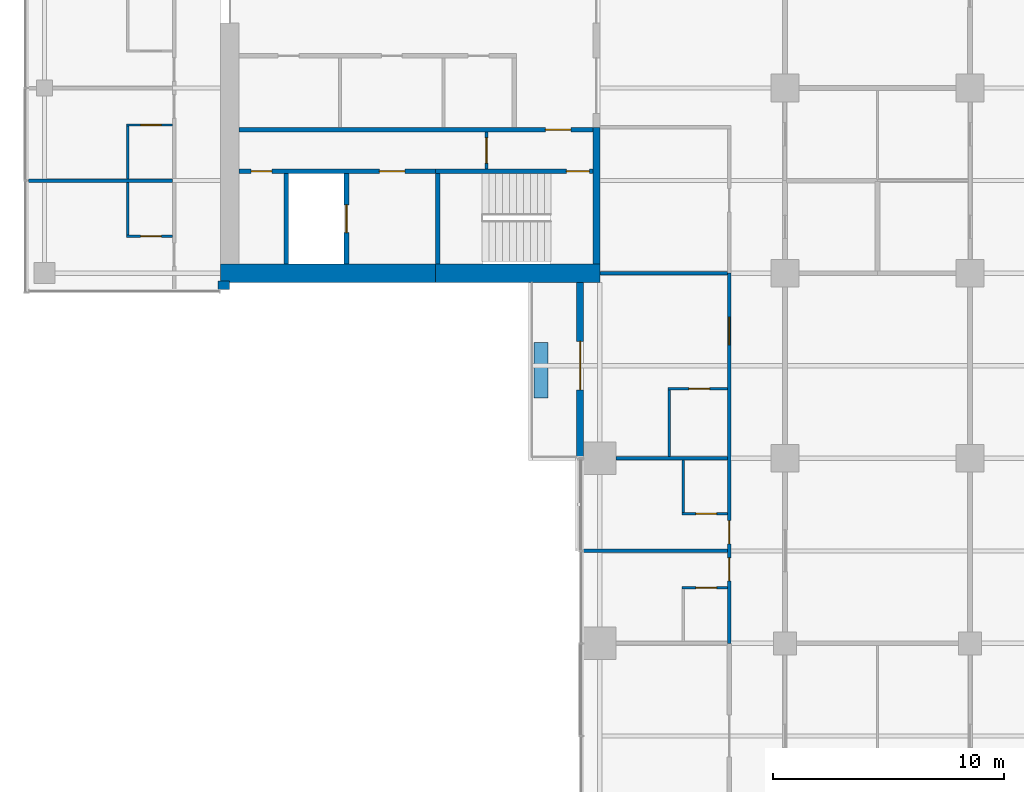
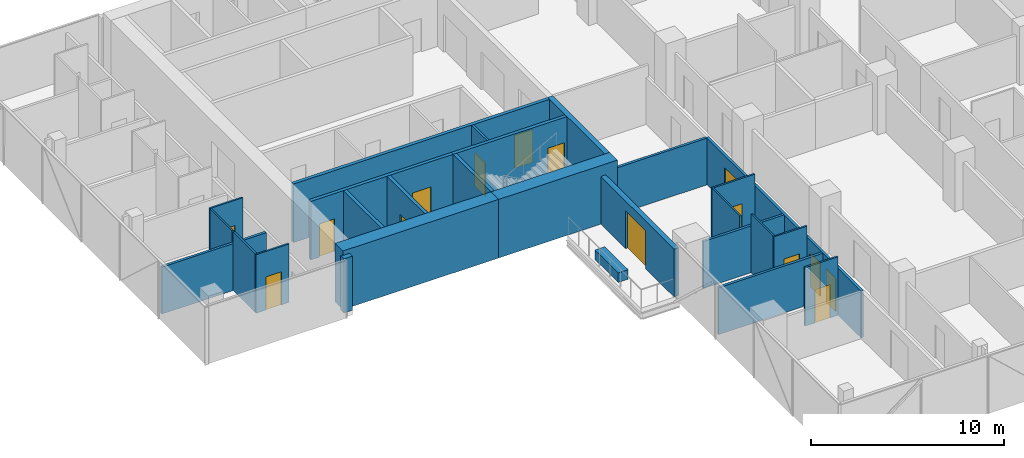
# One storey, part 15 of 27: 27 walls, 15 doors, 15 openings.
"""IFC4 building model written with IfcOpenShell, lengths in metres."""

from ifc_helpers import new_model, si_unit, direction, frame, frame_2d, origin, place, context, subcontext, project, spatial, rectangle, extrude, material, layer, layer_set, constituent, constituent_set, type_object, element, fill, save


model = new_model("IFC4")

# Units and contexts
model_context = context("Model", 3, precision=1e-05, world=origin(), true_north=direction((0.0, 1.0)))
body_context = subcontext(model_context, "Body", "Model", "MODEL_VIEW")
ifc_project = project(units=[si_unit("LENGTHUNIT", "METRE"), si_unit("AREAUNIT", "SQUARE_METRE"), si_unit("VOLUMEUNIT", "CUBIC_METRE"), si_unit("PLANEANGLEUNIT", "RADIAN"), si_unit("MASSUNIT", "GRAM", prefix="KILO")], contexts=[model_context])

# Site, building, storey
site_placement = place(None, origin())
site = spatial("IfcSite", under=ifc_project, at=site_placement, CompositionType="ELEMENT")
building_placement = place(site_placement, origin())
building = spatial("IfcBuilding", under=site, at=building_placement, Name="Crosswind Convention Tower", CompositionType="ELEMENT")
storey_placement = place(building_placement, frame((0.0, 0.0, 72.0)))
storey = spatial("IfcBuildingStorey", under=building, at=storey_placement, Name="L12", CompositionType="ELEMENT", Elevation=72.0)

# Wall
ifc_material_1 = material(Name="Concrete C50/60", Category="concrete")
ifc_layer_1 = layer(ifc_material_1, 0.300048828125)
ifc_layer_set_1 = layer_set([ifc_layer_1], Name="Concrete C50/60")
wall_type_1 = type_object("IfcWallType", Name="Concrete inner core wall 300", PredefinedType="SHEAR", material=ifc_layer_set_1)
wall_1_placement = place(storey_placement, frame((112.85009765625, 94.300048828125, 0.0), z_axis=(0.0, 0.0, 1.0), x_axis=(0.0, -1.0, 0.0)))
element("IfcWall", 1, at=wall_1_placement, inside=storey, type_object=wall_type_1, Name="Wall EP W L12", PredefinedType="SHEAR", context=body_context, shape_type="SweptSolid", body=[
    extrude(rectangle(XDim=5.900146484375, YDim=0.300048828125, at=frame_2d((2.9501953125, 0.0))), origin(), (0.0, 0.0, 1.0), 3.699951171875),
])

# Wall, opening, door
ifc_layer_2 = layer(ifc_material_1, 0.199951171875)
ifc_layer_set_2 = layer_set([ifc_layer_2], Name="Concrete C50/60")
wall_type_2 = type_object("IfcWallType", Name="Concrete shaft and stair wall 200", PredefinedType="SHEAR", material=ifc_layer_set_2)
wall_2_placement = place(storey_placement, frame((112.699951171875, 94.199951171875, 0.0), z_axis=(0.0, 0.0, 1.0), x_axis=(-1.0, 0.0, 0.0)))
wall_2 = element("IfcWall", 2, at=wall_2_placement, inside=storey, type_object=wall_type_2, Name="Wall HP W L12", PredefinedType="SHEAR", context=body_context, shape_type="SweptSolid", body=[
    extrude(rectangle(XDim=15.300048828125, YDim=0.199951171875, at=frame_2d((7.64990234375, 0.0))), origin(), (0.0, 0.0, 1.0), 3.699951171875),
])
opening_1_placement = place(wall_2_placement, frame((0.949951171875, 0.0, 0.0)))
opening_1 = element("IfcOpeningElement", 3, at=opening_1_placement, cuts=wall_2, Name="Opening D104", PredefinedType="OPENING", context=body_context, shape_type="SweptSolid", body=[
    extrude(rectangle(XDim=1.10009765625, YDim=2.10009765625, at=frame_2d((0.550048828125, 1.050048828125))), frame((0.0, 0.10986328125, 0.0), z_axis=(0.0, -1.0, 0.0), x_axis=(1.0, 0.0, 0.0)), (0.0, 0.0, 1.0), 0.219970703125),
])
ifc_material_2 = material(Name="Steel fire door", Category="steel")
door_type_1 = type_object("IfcDoorType", Name="Fire-rated single door 1100x2100", OperationType="NOTDEFINED", PredefinedType="DOOR", material=ifc_material_2)
door_1_placement = place(opening_1_placement, origin())
door_1 = element("IfcDoor", 4, at=door_1_placement, inside=storey, type_object=door_type_1, Name="Corridor door L12", ObjectType="D104", OperationType="SINGLE_SWING_LEFT", OverallHeight=2.10009765625, OverallWidth=1.10009765625, PredefinedType="DOOR", context=body_context, shape_type="SweptSolid", body=[
    extrude(rectangle(XDim=1.10009765625, YDim=2.10009765625, at=frame_2d((0.550048828125, 1.050048828125))), frame((0.0, 0.02490234375, 0.0), z_axis=(0.0, -1.0, 0.0), x_axis=(1.0, 0.0, 0.0)), (0.0, 0.0, 1.0), 0.050048828125),
])
fill(opening_1, door_1)

# Wall
wall_3_placement = place(storey_placement, frame((106.0, 92.300048828125, 0.0), z_axis=(0.0, 0.0, 1.0), x_axis=(0.0, -1.0, 0.0)))
element("IfcWall", 5, at=wall_3_placement, inside=storey, type_object=wall_type_2, Name="Wall PSE W L12", PredefinedType="SHEAR", context=body_context, shape_type="SweptSolid", body=[
    extrude(rectangle(XDim=3.900146484375, YDim=0.199951171875, at=frame_2d((1.9501953125, 0.0))), origin(), (0.0, 0.0, 1.0), 3.699951171875),
])

# Wall, opening, door
wall_4_placement = place(storey_placement, frame((102.050048828125, 92.300048828125, 0.0), z_axis=(0.0, 0.0, 1.0), x_axis=(0.0, -1.0, 0.0)))
wall_4 = element("IfcWall", 6, at=wall_4_placement, inside=storey, type_object=wall_type_2, Name="Wall PFLW W L12", PredefinedType="SHEAR", context=body_context, shape_type="SweptSolid", body=[
    extrude(rectangle(XDim=3.900146484375, YDim=0.199951171875, at=frame_2d((1.9501953125, 0.0))), origin(), (0.0, 0.0, 1.0), 3.699951171875),
])
opening_2_placement = place(wall_4_placement, frame((1.35009765625, 0.0, 0.0)))
opening_2 = element("IfcOpeningElement", 7, at=opening_2_placement, cuts=wall_4, Name="Opening LD1", PredefinedType="OPENING", context=body_context, shape_type="SweptSolid", body=[
    extrude(rectangle(XDim=1.199951171875, YDim=2.10009765625, at=frame_2d((0.60009765625, 1.050048828125))), frame((0.0, 0.10986328125, 0.0), z_axis=(0.0, -1.0, 0.0), x_axis=(1.0, 0.0, 0.0)), (0.0, 0.0, 1.0), 0.219970703125),
])
ifc_material_3 = material(Name="Stainless steel", Category="steel")
door_type_2 = type_object("IfcDoorType", Name="Lift landing door 1200x2100", OperationType="DOUBLE_DOOR_SLIDING", PredefinedType="DOOR", material=ifc_material_3)
door_2_placement = place(opening_2_placement, origin())
door_2 = element("IfcDoor", 8, at=door_2_placement, inside=storey, type_object=door_type_2, Name="Landing door FF2 L12", ObjectType="LD1", OperationType="DOUBLE_DOOR_SLIDING", OverallHeight=2.10009765625, OverallWidth=1.199951171875, PredefinedType="DOOR", context=body_context, shape_type="SweptSolid", body=[
    extrude(rectangle(XDim=1.199951171875, YDim=2.10009765625, at=frame_2d((0.60009765625, 1.050048828125))), frame((0.0, 0.02490234375, 0.0), z_axis=(0.0, -1.0, 0.0), x_axis=(1.0, 0.0, 0.0)), (0.0, 0.0, 1.0), 0.050048828125),
])
fill(opening_2, door_2)

# Wall
wall_5_placement = place(storey_placement, frame((99.449951171875, 92.300048828125, 0.0), z_axis=(0.0, 0.0, 1.0), x_axis=(0.0, -1.0, 0.0)))
element("IfcWall", 9, at=wall_5_placement, inside=storey, type_object=wall_type_2, Name="Wall PFSE W L12", PredefinedType="SHEAR", context=body_context, shape_type="SweptSolid", body=[
    extrude(rectangle(XDim=3.900146484375, YDim=0.199951171875, at=frame_2d((1.9501953125, 0.0))), origin(), (0.0, 0.0, 1.0), 3.699951171875),
])

# Wall, opening, door
wall_6_placement = place(storey_placement, frame((112.699951171875, 92.39990234375, 0.0), z_axis=(0.0, 0.0, 1.0), x_axis=(-1.0, 0.0, 0.0)))
wall_6 = element("IfcWall", 10, at=wall_6_placement, inside=storey, type_object=wall_type_2, Name="Wall PCW W L12", PredefinedType="SHEAR", context=body_context, shape_type="SweptSolid", body=[
    extrude(rectangle(XDim=6.800048828125, YDim=0.199951171875, at=frame_2d((3.39990234375, 0.0))), origin(), (0.0, 0.0, 1.0), 3.699951171875),
])
opening_3_placement = place(wall_6_placement, frame((0.14990234375, 0.0, 0.0)))
opening_3 = element("IfcOpeningElement", 11, at=opening_3_placement, cuts=wall_6, Name="Opening D103", PredefinedType="OPENING", context=body_context, shape_type="SweptSolid", body=[
    extrude(rectangle(XDim=1.0, YDim=2.10009765625, at=frame_2d((0.5, 1.050048828125))), frame((0.0, 0.10986328125, 0.0), z_axis=(0.0, -1.0, 0.0), x_axis=(1.0, 0.0, 0.0)), (0.0, 0.0, 1.0), 0.219970703125),
])
door_type_3 = type_object("IfcDoorType", Name="Fire-rated single door 1000x2100", OperationType="NOTDEFINED", PredefinedType="DOOR", material=ifc_material_2)
door_3_placement = place(opening_3_placement, origin())
door_3 = element("IfcDoor", 12, at=door_3_placement, inside=storey, type_object=door_type_3, Name="Stair ST3 door L12", ObjectType="D103", OperationType="SINGLE_SWING_LEFT", OverallHeight=2.10009765625, OverallWidth=1.0, PredefinedType="DOOR", context=body_context, shape_type="SweptSolid", body=[
    extrude(rectangle(XDim=1.0, YDim=2.10009765625, at=frame_2d((0.5, 1.050048828125))), frame((0.0, 0.02490234375, 0.0), z_axis=(0.0, -1.0, 0.0), x_axis=(1.0, 0.0, 0.0)), (0.0, 0.0, 1.0), 0.050048828125),
])
fill(opening_3, door_3)

# Wall, openings, doors
wall_7_placement = place(storey_placement, frame((105.89990234375, 92.39990234375, 0.0), z_axis=(0.0, 0.0, 1.0), x_axis=(-1.0, 0.0, 0.0)))
wall_7 = element("IfcWall", 13, at=wall_7_placement, inside=storey, type_object=wall_type_2, Name="Wall PCX W L12", PredefinedType="SHEAR", context=body_context, shape_type="SweptSolid", body=[
    extrude(rectangle(XDim=8.5, YDim=0.199951171875, at=frame_2d((4.25, 0.0))), origin(), (0.0, 0.0, 1.0), 3.699951171875),
])
opening_4_placement = place(wall_7_placement, frame((1.324951171875, 0.0, 0.0)))
opening_4 = element("IfcOpeningElement", 14, at=opening_4_placement, cuts=wall_7, Name="Opening D104", PredefinedType="OPENING", context=body_context, shape_type="SweptSolid", body=[
    extrude(rectangle(XDim=1.10009765625, YDim=2.10009765625, at=frame_2d((0.550048828125, 1.050048828125))), frame((0.0, 0.10986328125, 0.0), z_axis=(0.0, -1.0, 0.0), x_axis=(1.0, 0.0, 0.0)), (0.0, 0.0, 1.0), 0.219970703125),
])
opening_5_placement = place(wall_7_placement, frame((7.074951171875, 0.0, 0.0)))
opening_5 = element("IfcOpeningElement", 15, at=opening_5_placement, cuts=wall_7, Name="Opening D106", PredefinedType="OPENING", context=body_context, shape_type="SweptSolid", body=[
    extrude(rectangle(XDim=0.89990234375, YDim=2.10009765625, at=frame_2d((0.449951171875, 1.050048828125))), frame((0.0, 0.10986328125, 0.0), z_axis=(0.0, -1.0, 0.0), x_axis=(1.0, 0.0, 0.0)), (0.0, 0.0, 1.0), 0.219970703125),
])
door_4_placement = place(opening_4_placement, origin())
door_4 = element("IfcDoor", 16, at=door_4_placement, inside=storey, type_object=door_type_1, Name="Fire-fighting lobby FF2 door L12", ObjectType="D104", OperationType="SINGLE_SWING_RIGHT", OverallHeight=2.10009765625, OverallWidth=1.10009765625, PredefinedType="DOOR", context=body_context, shape_type="SweptSolid", body=[
    extrude(rectangle(XDim=1.10009765625, YDim=2.10009765625, at=frame_2d((0.550048828125, 1.050048828125))), frame((0.0, 0.02490234375, 0.0), z_axis=(0.0, -1.0, 0.0), x_axis=(1.0, 0.0, 0.0)), (0.0, 0.0, 1.0), 0.050048828125),
])
fill(opening_4, door_4)
ifc_material_4 = material(Name="Timber door", Category="wood")
door_type_4 = type_object("IfcDoorType", Name="Single leaf door 900x2100", OperationType="NOTDEFINED", PredefinedType="DOOR", material=ifc_material_4)
door_5_placement = place(opening_5_placement, origin())
door_5 = element("IfcDoor", 17, at=door_5_placement, inside=storey, type_object=door_type_4, Name="Door to cleaners' store L12", ObjectType="D106", OperationType="SINGLE_SWING_RIGHT", OverallHeight=2.10009765625, OverallWidth=0.89990234375, PredefinedType="DOOR", context=body_context, shape_type="SweptSolid", body=[
    extrude(rectangle(XDim=0.89990234375, YDim=2.10009765625, at=frame_2d((0.449951171875, 1.050048828125))), frame((0.0, 0.02490234375, 0.0), z_axis=(0.0, -1.0, 0.0), x_axis=(1.0, 0.0, 0.0)), (0.0, 0.0, 1.0), 0.050048828125),
])
fill(opening_5, door_5)

# Wall, opening, door
ifc_material_5 = material(Name="Gypsum plasterboard partition", Category="gypsum")
ifc_layer_3 = layer(ifc_material_5, 0.125)
ifc_layer_set_3 = layer_set([ifc_layer_3], Name="Drywall partition wall 125")
wall_type_3 = type_object("IfcWallType", Name="Drywall partition wall 125", PredefinedType="PARTITIONING", material=ifc_layer_set_3)
wall_8_placement = place(storey_placement, frame((108.10009765625, 94.10009765625, 0.0), z_axis=(0.0, 0.0, 1.0), x_axis=(0.0, -1.0, 0.0)))
wall_8 = element("IfcWall", 18, at=wall_8_placement, inside=storey, type_object=wall_type_3, Name="Wall PXC1 W L12", PredefinedType="PARTITIONING", context=body_context, shape_type="SweptSolid", body=[
    extrude(rectangle(XDim=1.60009765625, YDim=0.125, at=frame_2d((0.800048828125, 0.0))), origin(), (0.0, 0.0, 1.0), 3.699951171875),
])
opening_6_placement = place(wall_8_placement, frame((0.25, 0.0, 0.0)))
opening_6 = element("IfcOpeningElement", 19, at=opening_6_placement, cuts=wall_8, Name="Opening D104", PredefinedType="OPENING", context=body_context, shape_type="SweptSolid", body=[
    extrude(rectangle(XDim=1.10009765625, YDim=2.10009765625, at=frame_2d((0.550048828125, 1.050048828125))), frame((0.0, 0.072509765625, 0.0), z_axis=(0.0, -1.0, 0.0), x_axis=(1.0, 0.0, 0.0)), (0.0, 0.0, 1.0), 0.14501953125),
])
door_6_placement = place(opening_6_placement, origin())
door_6 = element("IfcDoor", 20, at=door_6_placement, inside=storey, type_object=door_type_1, Name="Corridor smoke door L12", ObjectType="D104", OperationType="SINGLE_SWING_RIGHT", OverallHeight=2.10009765625, OverallWidth=1.10009765625, PredefinedType="DOOR", context=body_context, shape_type="SweptSolid", body=[
    extrude(rectangle(XDim=1.10009765625, YDim=2.10009765625, at=frame_2d((0.550048828125, 1.050048828125))), frame((0.0, 0.02490234375, 0.0), z_axis=(0.0, -1.0, 0.0), x_axis=(1.0, 0.0, 0.0)), (0.0, 0.0, 1.0), 0.050048828125),
])
fill(opening_6, door_6)

# Walls
ifc_material_6 = material(Name="Acoustic plasterboard partition", Category="gypsum")
ifc_layer_4 = layer(ifc_material_6, 0.14990234375)
ifc_layer_set_4 = layer_set([ifc_layer_4], Name="GUEST ROOM WALL 150")
wall_type_4 = type_object("IfcWallType", Name="GUEST ROOM WALL 150", PredefinedType="PARTITIONING", material=ifc_layer_set_4)
wall_9_placement = place(storey_placement, frame((112.300048828125, 76.0, 0.0), z_axis=(0.0, 0.0, 1.0), x_axis=(1.0, 0.0, 0.0)))
element("IfcWall", 21, at=wall_9_placement, inside=storey, type_object=wall_type_4, Name="Guest Room Wall 8", PredefinedType="PARTITIONING", context=body_context, shape_type="SweptSolid", body=[
    extrude(rectangle(XDim=6.224853515625, YDim=0.14990234375, at=frame_2d((3.1123046875, 0.0))), origin(), (0.0, 0.0, 1.0), 2.962890625),
])
wall_10_placement = place(storey_placement, frame((113.699951171875, 80.0, 0.0), z_axis=(0.0, 0.0, 1.0), x_axis=(1.0, 0.0, 0.0)))
element("IfcWall", 22, at=wall_10_placement, inside=storey, type_object=wall_type_4, Name="Guest Room Wall 11", PredefinedType="PARTITIONING", context=body_context, shape_type="SweptSolid", body=[
    extrude(rectangle(XDim=4.824951171875, YDim=0.14990234375, at=frame_2d((2.41259765625, 0.0))), origin(), (0.0, 0.0, 1.0), 2.959716796875),
])
wall_11_placement = place(storey_placement, frame((113.0, 88.0, 0.0), z_axis=(0.0, 0.0, 1.0), x_axis=(1.0, 0.0, 0.0)))
element("IfcWall", 23, at=wall_11_placement, inside=storey, type_object=wall_type_4, Name="Guest Room Wall 15", PredefinedType="PARTITIONING", context=body_context, shape_type="SweptSolid", body=[
    extrude(rectangle(XDim=5.52490234375, YDim=0.14990234375, at=frame_2d((2.762451171875, 0.0))), origin(), (0.0, 0.0, 1.0), 2.956298828125),
])
wall_12_placement = place(storey_placement, frame((88.300048828125, 92.0, 0.0), z_axis=(0.0, 0.0, 1.0), x_axis=(1.0, 0.0, 0.0)))
element("IfcWall", 24, at=wall_12_placement, inside=storey, type_object=wall_type_4, Name="Guest Room Wall 21", PredefinedType="PARTITIONING", context=body_context, shape_type="SweptSolid", body=[
    extrude(rectangle(XDim=6.224853515625, YDim=0.14990234375, at=frame_2d((3.1123046875, 0.0))), origin(), (0.0, 0.0, 1.0), 2.962890625),
])

# Wall, openings, doors
wall_13_placement = place(storey_placement, frame((118.60009765625, 72.0, 0.0), z_axis=(0.0, 0.0, 1.0), x_axis=(0.0, 1.0, 0.0)))
wall_13 = element("IfcWall", 25, at=wall_13_placement, inside=storey, type_object=wall_type_4, Name="Guest Room Wall 83", PredefinedType="PARTITIONING", context=body_context, shape_type="SweptSolid", body=[
    extrude(rectangle(XDim=16.0, YDim=0.14990234375, at=frame_2d((8.0, 0.0))), origin(), (0.0, 0.0, 1.0), 2.956298828125),
])
opening_7_placement = place(wall_13_placement, frame((12.89990234375, 0.0, 0.0)))
opening_7 = element("IfcOpeningElement", 26, at=opening_7_placement, cuts=wall_13, Name="Opening 12.028", PredefinedType="OPENING", context=body_context, shape_type="SweptSolid", body=[
    extrude(rectangle(XDim=1.199951171875, YDim=2.199951171875, at=frame_2d((0.60009765625, 1.10009765625))), frame((0.0, 0.0849609375, 0.0), z_axis=(0.0, -1.0, 0.0), x_axis=(1.0, 0.0, 0.0)), (0.0, 0.0, 1.0), 0.169921875),
])
opening_8_placement = place(wall_13_placement, frame((4.300048828125, 0.0, 0.0)))
opening_8 = element("IfcOpeningElement", 27, at=opening_8_placement, cuts=wall_13, Name="Opening 12.030", PredefinedType="OPENING", context=body_context, shape_type="SweptSolid", body=[
    extrude(rectangle(XDim=1.0, YDim=2.10009765625, at=frame_2d((0.5, 1.050048828125))), frame((0.0, 0.0849609375, 0.0), z_axis=(0.0, -1.0, 0.0), x_axis=(1.0, 0.0, 0.0)), (0.0, 0.0, 1.0), 0.169921875),
])
opening_9_placement = place(wall_13_placement, frame((2.699951171875, 0.0, 0.0)))
opening_9 = element("IfcOpeningElement", 28, at=opening_9_placement, cuts=wall_13, Name="Opening 12.032", PredefinedType="OPENING", context=body_context, shape_type="SweptSolid", body=[
    extrude(rectangle(XDim=1.0, YDim=2.10009765625, at=frame_2d((0.5, 1.050048828125))), frame((0.0, 0.0849609375, 0.0), z_axis=(0.0, -1.0, 0.0), x_axis=(1.0, 0.0, 0.0)), (0.0, 0.0, 1.0), 0.169921875),
])
ifc_material_7 = material(Name="Timber fire door", Category="wood")
door_type_5 = type_object("IfcDoorType", Name="GUEST ROOM DOOR 1000X2100", OperationType="NOTDEFINED", PredefinedType="DOOR", material=ifc_material_7)
door_7_placement = place(opening_8_placement, origin())
door_7 = element("IfcDoor", 29, at=door_7_placement, inside=storey, type_object=door_type_5, Name="Door 12.030", ObjectType="D1", OperationType="SINGLE_SWING_RIGHT", OverallHeight=2.10009765625, OverallWidth=1.0, PredefinedType="DOOR", context=body_context, shape_type="SweptSolid", body=[
    extrude(rectangle(XDim=1.0, YDim=2.10009765625, at=frame_2d((0.5, 1.050048828125))), frame((0.0, 0.02490234375, 0.0), z_axis=(0.0, -1.0, 0.0), x_axis=(1.0, 0.0, 0.0)), (0.0, 0.0, 1.0), 0.050048828125),
])
fill(opening_8, door_7)
door_8_placement = place(opening_9_placement, origin())
door_8 = element("IfcDoor", 30, at=door_8_placement, inside=storey, type_object=door_type_5, Name="Door 12.032", ObjectType="D1", OperationType="SINGLE_SWING_RIGHT", OverallHeight=2.10009765625, OverallWidth=1.0, PredefinedType="DOOR", context=body_context, shape_type="SweptSolid", body=[
    extrude(rectangle(XDim=1.0, YDim=2.10009765625, at=frame_2d((0.5, 1.050048828125))), frame((0.0, 0.02490234375, 0.0), z_axis=(0.0, -1.0, 0.0), x_axis=(1.0, 0.0, 0.0)), (0.0, 0.0, 1.0), 0.050048828125),
])
fill(opening_9, door_8)
door_type_6 = type_object("IfcDoorType", Name="SUITE DOOR 1200X2200", OperationType="DOUBLE_DOOR_SINGLE_SWING", PredefinedType="DOOR", material=ifc_material_7)
door_9_placement = place(opening_7_placement, origin())
door_9 = element("IfcDoor", 31, at=door_9_placement, inside=storey, type_object=door_type_6, Name="Door 12.028", ObjectType="D14", OperationType="DOUBLE_DOOR_SINGLE_SWING", OverallHeight=2.199951171875, OverallWidth=1.199951171875, PredefinedType="DOOR", context=body_context, shape_type="SweptSolid", body=[
    extrude(rectangle(XDim=1.199951171875, YDim=2.199951171875, at=frame_2d((0.60009765625, 1.10009765625))), frame((0.0, 0.02490234375, 0.0), z_axis=(0.0, -1.0, 0.0), x_axis=(1.0, 0.0, 0.0)), (0.0, 0.0, 1.0), 0.050048828125),
])
fill(opening_7, door_9)

# Walls
ifc_material_8 = material(Name="Concrete C30/37", Category="concrete")
ifc_layer_5 = layer(ifc_material_8, 0.60009765625)
ifc_layer_set_5 = layer_set([ifc_layer_5], Name="Concrete C30/37")
wall_type_5 = type_object("IfcWallType", Name="PLANTER BOX WALL 600", PredefinedType="SOLIDWALL", material=ifc_layer_set_5)
wall_14_placement = place(storey_placement, frame((110.449951171875, 85.0, 0.0), z_axis=(0.0, 0.0, 1.0), x_axis=(0.0, -1.0, 0.0)))
element("IfcWall", 32, at=wall_14_placement, inside=storey, type_object=wall_type_5, Name="PLANTER L12 S-W.1-1", PredefinedType="SOLIDWALL", context=body_context, shape_type="SweptSolid", body=[
    extrude(rectangle(XDim=2.39990234375, YDim=0.60009765625, at=frame_2d((1.199951171875, 0.0))), origin(), (0.0, 0.0, 1.0), 0.60009765625),
])
ifc_material_9 = material(Name="Terracotta rainscreen", Category="ceramic")
ifc_layer_6 = layer(ifc_material_9, 0.02001953125)
ifc_material_10 = material(Name="Mineral wool insulation", Category="insulation")
ifc_layer_7 = layer(ifc_material_10, 0.10009765625)
ifc_material_11 = material(Name="Concrete blockwork", Category="masonry")
ifc_layer_8 = layer(ifc_material_11, 0.236083984375)
ifc_layer_set_6 = layer_set([ifc_layer_6, ifc_layer_7, ifc_layer_8], Name="TERRACOTTA CORNER INFILL WALL 356")
wall_type_6 = type_object("IfcWallType", Name="TERRACOTTA CORNER INFILL WALL 356", PredefinedType="SOLIDWALL", material=ifc_layer_set_6)
wall_15_placement = place(storey_placement, frame((96.4951171875, 87.47802734375, 0.0), z_axis=(0.0, 0.0, 1.0), x_axis=(1.0, 0.0, 0.0)))
element("IfcWall", 33, at=wall_15_placement, inside=storey, type_object=wall_type_6, Name="Core corner infill wall L12 3", PredefinedType="SOLIDWALL", context=body_context, shape_type="SweptSolid", body=[
    extrude(rectangle(XDim=0.5048828125, YDim=0.35595703125, at=frame_2d((0.25244140625, 0.0))), origin(), (0.0, 0.0, 1.0), 3.419921875),
])

# Wall, opening, door
ifc_layer_9 = layer(ifc_material_9, 0.02001953125)
ifc_layer_10 = layer(ifc_material_10, 0.10009765625)
ifc_layer_11 = layer(ifc_material_11, 0.179931640625)
ifc_layer_set_7 = layer_set([ifc_layer_9, ifc_layer_10, ifc_layer_11], Name="TERRACOTTA INFILL WALL 300")
wall_type_7 = type_object("IfcWallType", Name="TERRACOTTA INFILL WALL 300", PredefinedType="SOLIDWALL", material=ifc_layer_set_7)
wall_16_placement = place(storey_placement, frame((112.14990234375, 87.60009765625, 0.0), z_axis=(0.0, 0.0, 1.0), x_axis=(0.0, -1.0, 0.0)))
wall_16 = element("IfcWall", 34, at=wall_16_placement, inside=storey, type_object=wall_type_7, Name="Notch front wall L12 S-W.1-1", PredefinedType="SOLIDWALL", context=body_context, shape_type="SweptSolid", body=[
    extrude(rectangle(XDim=7.567626953125, YDim=0.300048828125, at=frame_2d((3.78369140625, 0.0))), origin(), (0.0, 0.0, 1.0), 3.013671875),
])
opening_10_placement = place(wall_16_placement, frame((2.550048828125, 0.0, 0.0)))
opening_10 = element("IfcOpeningElement", 35, at=opening_10_placement, cuts=wall_16, Name="Opening D141", PredefinedType="OPENING", context=body_context, shape_type="SweptSolid", body=[
    extrude(rectangle(XDim=2.10009765625, YDim=2.39990234375, at=frame_2d((1.050048828125, 1.199951171875))), frame((0.0, 0.159912109375, 0.0), z_axis=(0.0, -1.0, 0.0), x_axis=(1.0, 0.0, 0.0)), (0.0, 0.0, 1.0), 0.320068359375),
])
ifc_material_12 = material(Name="Aluminium glazed door", Category="aluminium")
door_type_7 = type_object("IfcDoorType", Name="BALCONY SLIDING DOOR 2100X2400", OperationType="SLIDING_TO_LEFT", PredefinedType="DOOR", material=ifc_material_12)
door_10_placement = place(opening_10_placement, frame((2.10009765625, 0.0, 0.0), z_axis=(0.0, 0.0, 1.0), x_axis=(-1.0, 0.0, 0.0)))
door_10 = element("IfcDoor", 36, at=door_10_placement, inside=storey, type_object=door_type_7, Name="D141 balcony door L12 S-W.1-1", ObjectType="D141", OperationType="SLIDING_TO_LEFT", OverallHeight=2.39990234375, OverallWidth=2.10009765625, PredefinedType="DOOR", context=body_context, shape_type="SweptSolid", body=[
    extrude(rectangle(XDim=2.10009765625, YDim=2.39990234375, at=frame_2d((1.050048828125, 1.199951171875))), frame((0.0, 0.02490234375, 0.0), z_axis=(0.0, -1.0, 0.0), x_axis=(1.0, 0.0, 0.0)), (0.0, 0.0, 1.0), 0.050048828125),
])
fill(opening_10, door_10)

# Walls
ifc_material_13 = material(Name="Concrete C60/75", Category="concrete")
ifc_constituent_1 = constituent(ifc_material_13, Name="Structure")
ifc_constituent_2 = constituent(ifc_material_9, Name="Facing")
ifc_constituent_set = constituent_set(constituents=[ifc_constituent_1, ifc_constituent_2], Name="Concrete C60/75, Terracotta rainscreen")
wall_type_8 = type_object("IfcWallType", Name="Terracotta rainscreen on concrete core wall 800", PredefinedType="SHEAR", material=ifc_constituent_set)
wall_17_placement = place(storey_placement, frame((113.0, 88.0, 0.0), z_axis=(0.0, 0.0, 1.0), x_axis=(-1.0, 0.0, 0.0)))
element("IfcWall", 37, at=wall_17_placement, inside=storey, type_object=wall_type_8, Name="Wall N1 W L12", PredefinedType="SHEAR", context=body_context, shape_type="SweptSolid", body=[
    extrude(rectangle(XDim=7.10009765625, YDim=0.800048828125, at=frame_2d((3.550048828125, 0.0))), origin(), (0.0, 0.0, 1.0), 3.699951171875),
])
wall_18_placement = place(storey_placement, frame((105.89990234375, 88.0, 0.0), z_axis=(0.0, 0.0, 1.0), x_axis=(-1.0, 0.0, 0.0)))
element("IfcWall", 38, at=wall_18_placement, inside=storey, type_object=wall_type_8, Name="Wall N2 W L12", PredefinedType="SHEAR", context=body_context, shape_type="SweptSolid", body=[
    extrude(rectangle(XDim=9.2998046875, YDim=0.800048828125, at=frame_2d((4.64990234375, 0.0))), origin(), (0.0, 0.0, 1.0), 3.699951171875),
])

# Wall, opening, door
ifc_material_14 = material(Name="Water-resistant plasterboard partition", Category="gypsum")
ifc_layer_12 = layer(ifc_material_14, 0.10009765625)
ifc_layer_set_8 = layer_set([ifc_layer_12], Name="WET ROOM PARTITION 100")
wall_type_9 = type_object("IfcWallType", Name="WET ROOM PARTITION 100", PredefinedType="PLUMBINGWALL", material=ifc_layer_set_8)
wall_19_placement = place(storey_placement, frame((116.550048828125, 74.39990234375, 0.0), z_axis=(0.0, 0.0, 1.0), x_axis=(1.0, 0.0, 0.0)))
wall_19 = element("IfcWall", 39, at=wall_19_placement, inside=storey, type_object=wall_type_9, Name="Wet Room Partition 7", PredefinedType="PLUMBINGWALL", context=body_context, shape_type="SweptSolid", body=[
    extrude(rectangle(XDim=1.974853515625, YDim=0.10009765625, at=frame_2d((0.9873046875, 0.0))), origin(), (0.0, 0.0, 1.0), 3.699951171875),
])
opening_11_placement = place(wall_19_placement, frame((0.60009765625, 0.0, 0.0)))
opening_11 = element("IfcOpeningElement", 40, at=opening_11_placement, cuts=wall_19, Name="Opening 12.033", PredefinedType="OPENING", context=body_context, shape_type="SweptSolid", body=[
    extrude(rectangle(XDim=0.89990234375, YDim=2.10009765625, at=frame_2d((0.449951171875, 1.050048828125))), frame((0.0, 0.06005859375, 0.0), z_axis=(0.0, -1.0, 0.0), x_axis=(1.0, 0.0, 0.0)), (0.0, 0.0, 1.0), 0.1201171875),
])
door_type_8 = type_object("IfcDoorType", Name="EN-SUITE DOOR 900X2100", OperationType="NOTDEFINED", PredefinedType="DOOR", material=ifc_material_4)
door_11_placement = place(opening_11_placement, frame((0.89990234375, 0.0, 0.0), z_axis=(0.0, 0.0, 1.0), x_axis=(-1.0, 0.0, 0.0)))
door_11 = element("IfcDoor", 41, at=door_11_placement, inside=storey, type_object=door_type_8, Name="Door 12.033", ObjectType="D2", OperationType="SINGLE_SWING_LEFT", OverallHeight=2.10009765625, OverallWidth=0.89990234375, PredefinedType="DOOR", context=body_context, shape_type="SweptSolid", body=[
    extrude(rectangle(XDim=0.89990234375, YDim=2.10009765625, at=frame_2d((0.449951171875, 1.050048828125))), frame((0.0, 0.02490234375, 0.0), z_axis=(0.0, -1.0, 0.0), x_axis=(1.0, 0.0, 0.0)), (0.0, 0.0, 1.0), 0.050048828125),
])
fill(opening_11, door_11)

wall_20_placement = place(storey_placement, frame((116.550048828125, 77.60009765625, 0.0), z_axis=(0.0, 0.0, 1.0), x_axis=(1.0, 0.0, 0.0)))
wall_20 = element("IfcWall", 42, at=wall_20_placement, inside=storey, type_object=wall_type_9, Name="Wet Room Partition 10", PredefinedType="PLUMBINGWALL", context=body_context, shape_type="SweptSolid", body=[
    extrude(rectangle(XDim=1.974853515625, YDim=0.10009765625, at=frame_2d((0.9873046875, 0.0))), origin(), (0.0, 0.0, 1.0), 3.699951171875),
])
opening_12_placement = place(wall_20_placement, frame((0.60009765625, 0.0, 0.0)))
opening_12 = element("IfcOpeningElement", 43, at=opening_12_placement, cuts=wall_20, Name="Opening 12.031", PredefinedType="OPENING", context=body_context, shape_type="SweptSolid", body=[
    extrude(rectangle(XDim=0.89990234375, YDim=2.10009765625, at=frame_2d((0.449951171875, 1.050048828125))), frame((0.0, 0.06005859375, 0.0), z_axis=(0.0, -1.0, 0.0), x_axis=(1.0, 0.0, 0.0)), (0.0, 0.0, 1.0), 0.1201171875),
])
door_12_placement = place(opening_12_placement, origin())
door_12 = element("IfcDoor", 44, at=door_12_placement, inside=storey, type_object=door_type_8, Name="Door 12.031", ObjectType="D2", OperationType="SINGLE_SWING_RIGHT", OverallHeight=2.10009765625, OverallWidth=0.89990234375, PredefinedType="DOOR", context=body_context, shape_type="SweptSolid", body=[
    extrude(rectangle(XDim=0.89990234375, YDim=2.10009765625, at=frame_2d((0.449951171875, 1.050048828125))), frame((0.0, 0.02490234375, 0.0), z_axis=(0.0, -1.0, 0.0), x_axis=(1.0, 0.0, 0.0)), (0.0, 0.0, 1.0), 0.050048828125),
])
fill(opening_12, door_12)

wall_21_placement = place(storey_placement, frame((115.949951171875, 83.0, 0.0), z_axis=(0.0, 0.0, 1.0), x_axis=(1.0, 0.0, 0.0)))
wall_21 = element("IfcWall", 45, at=wall_21_placement, inside=storey, type_object=wall_type_9, Name="Wet Room Partition 13", PredefinedType="PLUMBINGWALL", context=body_context, shape_type="SweptSolid", body=[
    extrude(rectangle(XDim=2.574951171875, YDim=0.10009765625, at=frame_2d((1.28759765625, 0.0))), origin(), (0.0, 0.0, 1.0), 3.699951171875),
])
opening_13_placement = place(wall_21_placement, frame((0.89990234375, 0.0, 0.0)))
opening_13 = element("IfcOpeningElement", 46, at=opening_13_placement, cuts=wall_21, Name="Opening 12.029", PredefinedType="OPENING", context=body_context, shape_type="SweptSolid", body=[
    extrude(rectangle(XDim=0.89990234375, YDim=2.10009765625, at=frame_2d((0.449951171875, 1.050048828125))), frame((0.0, 0.06005859375, 0.0), z_axis=(0.0, -1.0, 0.0), x_axis=(1.0, 0.0, 0.0)), (0.0, 0.0, 1.0), 0.1201171875),
])
door_13_placement = place(opening_13_placement, frame((0.89990234375, 0.0, 0.0), z_axis=(0.0, 0.0, 1.0), x_axis=(-1.0, 0.0, 0.0)))
door_13 = element("IfcDoor", 47, at=door_13_placement, inside=storey, type_object=door_type_8, Name="Door 12.029", ObjectType="D2", OperationType="SINGLE_SWING_LEFT", OverallHeight=2.10009765625, OverallWidth=0.89990234375, PredefinedType="DOOR", context=body_context, shape_type="SweptSolid", body=[
    extrude(rectangle(XDim=0.89990234375, YDim=2.10009765625, at=frame_2d((0.449951171875, 1.050048828125))), frame((0.0, 0.02490234375, 0.0), z_axis=(0.0, -1.0, 0.0), x_axis=(1.0, 0.0, 0.0)), (0.0, 0.0, 1.0), 0.050048828125),
])
fill(opening_13, door_13)

wall_22_placement = place(storey_placement, frame((92.550048828125, 89.60009765625, 0.0), z_axis=(0.0, 0.0, 1.0), x_axis=(1.0, 0.0, 0.0)))
wall_22 = element("IfcWall", 48, at=wall_22_placement, inside=storey, type_object=wall_type_9, Name="Wet Room Partition 19", PredefinedType="PLUMBINGWALL", context=body_context, shape_type="SweptSolid", body=[
    extrude(rectangle(XDim=1.974853515625, YDim=0.10009765625, at=frame_2d((0.9873046875, 0.0))), origin(), (0.0, 0.0, 1.0), 3.699951171875),
])
opening_14_placement = place(wall_22_placement, frame((0.60009765625, 0.0, 0.0)))
opening_14 = element("IfcOpeningElement", 49, at=opening_14_placement, cuts=wall_22, Name="Opening 12.046", PredefinedType="OPENING", context=body_context, shape_type="SweptSolid", body=[
    extrude(rectangle(XDim=0.89990234375, YDim=2.10009765625, at=frame_2d((0.449951171875, 1.050048828125))), frame((0.0, 0.06005859375, 0.0), z_axis=(0.0, -1.0, 0.0), x_axis=(1.0, 0.0, 0.0)), (0.0, 0.0, 1.0), 0.1201171875),
])
door_14_placement = place(opening_14_placement, origin())
door_14 = element("IfcDoor", 50, at=door_14_placement, inside=storey, type_object=door_type_8, Name="Door 12.046", ObjectType="D2", OperationType="SINGLE_SWING_RIGHT", OverallHeight=2.10009765625, OverallWidth=0.89990234375, PredefinedType="DOOR", context=body_context, shape_type="SweptSolid", body=[
    extrude(rectangle(XDim=0.89990234375, YDim=2.10009765625, at=frame_2d((0.449951171875, 1.050048828125))), frame((0.0, 0.02490234375, 0.0), z_axis=(0.0, -1.0, 0.0), x_axis=(1.0, 0.0, 0.0)), (0.0, 0.0, 1.0), 0.050048828125),
])
fill(opening_14, door_14)

wall_23_placement = place(storey_placement, frame((92.550048828125, 94.39990234375, 0.0), z_axis=(0.0, 0.0, 1.0), x_axis=(1.0, 0.0, 0.0)))
wall_23 = element("IfcWall", 51, at=wall_23_placement, inside=storey, type_object=wall_type_9, Name="Wet Room Partition 27", PredefinedType="PLUMBINGWALL", context=body_context, shape_type="SweptSolid", body=[
    extrude(rectangle(XDim=1.974853515625, YDim=0.10009765625, at=frame_2d((0.9873046875, 0.0))), origin(), (0.0, 0.0, 1.0), 3.699951171875),
])
opening_15_placement = place(wall_23_placement, frame((0.60009765625, 0.0, 0.0)))
opening_15 = element("IfcOpeningElement", 52, at=opening_15_placement, cuts=wall_23, Name="Opening 12.048", PredefinedType="OPENING", context=body_context, shape_type="SweptSolid", body=[
    extrude(rectangle(XDim=0.89990234375, YDim=2.10009765625, at=frame_2d((0.449951171875, 1.050048828125))), frame((0.0, 0.06005859375, 0.0), z_axis=(0.0, -1.0, 0.0), x_axis=(1.0, 0.0, 0.0)), (0.0, 0.0, 1.0), 0.1201171875),
])
door_15_placement = place(opening_15_placement, frame((0.89990234375, 0.0, 0.0), z_axis=(0.0, 0.0, 1.0), x_axis=(-1.0, 0.0, 0.0)))
door_15 = element("IfcDoor", 53, at=door_15_placement, inside=storey, type_object=door_type_8, Name="Door 12.048", ObjectType="D2", OperationType="SINGLE_SWING_LEFT", OverallHeight=2.10009765625, OverallWidth=0.89990234375, PredefinedType="DOOR", context=body_context, shape_type="SweptSolid", body=[
    extrude(rectangle(XDim=0.89990234375, YDim=2.10009765625, at=frame_2d((0.449951171875, 1.050048828125))), frame((0.0, 0.02490234375, 0.0), z_axis=(0.0, -1.0, 0.0), x_axis=(1.0, 0.0, 0.0)), (0.0, 0.0, 1.0), 0.050048828125),
])
fill(opening_15, door_15)

# Walls
for number, where, z_axis, x_axis, name in (
    (54, (92.60009765625, 89.64990234375, 0.0), (0.0, 0.0, 1.0), (0.0, 1.0, 0.0), "Wet Room Partition 68"),
    (55, (92.60009765625, 92.074951171875, 0.0), (0.0, 0.0, 1.0), (0.0, 1.0, 0.0), "Wet Room Partition 69"),
):
    element("IfcWall", number, at=place(storey_placement, frame(where, z_axis=z_axis, x_axis=x_axis)), inside=storey, type_object=wall_type_9, Name=name, PredefinedType="PLUMBINGWALL", context=body_context, shape_type="SweptSolid", body=[
        extrude(rectangle(XDim=2.275146484375, YDim=0.10009765625, at=frame_2d((1.1376953125, 0.0))), origin(), (0.0, 0.0, 1.0), 3.699951171875),
    ])
wall_24_placement = place(storey_placement, frame((116.0, 80.074951171875, 0.0), z_axis=(0.0, 0.0, 1.0), x_axis=(0.0, 1.0, 0.0)))
element("IfcWall", 56, at=wall_24_placement, inside=storey, type_object=wall_type_9, Name="Wet Room Partition 75", PredefinedType="PLUMBINGWALL", context=body_context, shape_type="SweptSolid", body=[
    extrude(rectangle(XDim=2.875, YDim=0.10009765625, at=frame_2d((1.4375, 0.0))), origin(), (0.0, 0.0, 1.0), 3.699951171875),
])
wall_25_placement = place(storey_placement, frame((116.60009765625, 77.64990234375, 0.0), z_axis=(0.0, 0.0, 1.0), x_axis=(0.0, 1.0, 0.0)))
element("IfcWall", 57, at=wall_25_placement, inside=storey, type_object=wall_type_9, Name="Wet Room Partition 78", PredefinedType="PLUMBINGWALL", context=body_context, shape_type="SweptSolid", body=[
    extrude(rectangle(XDim=2.275146484375, YDim=0.10009765625, at=frame_2d((1.1376953125, 0.0))), origin(), (0.0, 0.0, 1.0), 3.699951171875),
])

save(model, "model.ifc")
